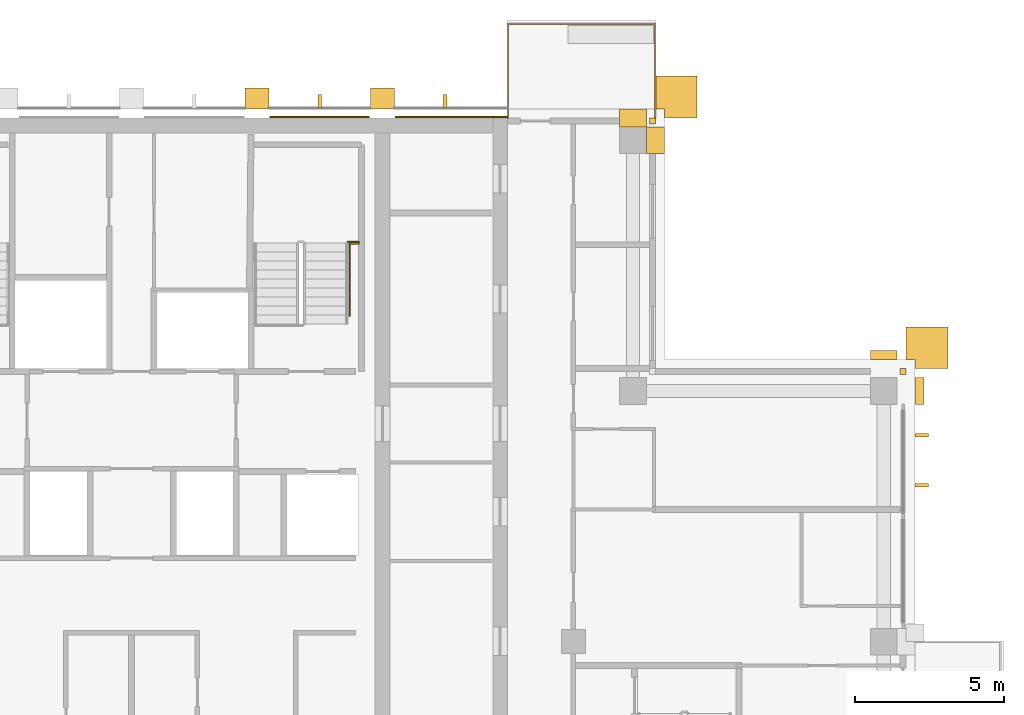
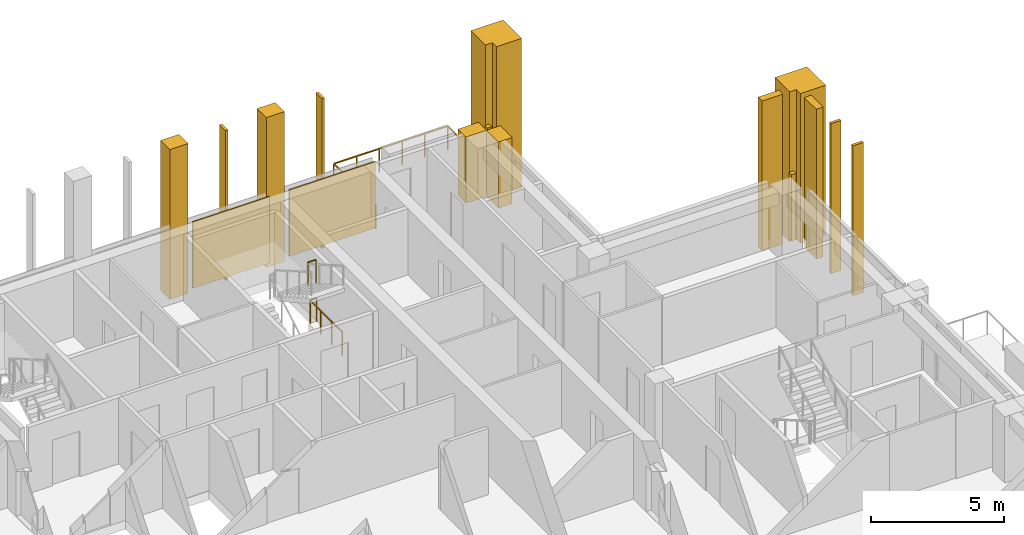
# One storey, part 18 of 18: 16 coverings, 3 railings.
"""IFC4 building model written with IfcOpenShell, lengths in metres."""

from ifc_helpers import new_model, si_unit, direction, frame, origin, origin_2d, place, context, subcontext, project, spatial, polyline, rectangle, outline, extrude, material, layer, layer_set, type_object, element, save


model = new_model("IFC4")

# Units and contexts
model_context = context("Model", 3, precision=1e-05, world=origin(), true_north=direction((0.0, 1.0)))
body_context = subcontext(model_context, "Body", "Model", "MODEL_VIEW")
ifc_project = project(units=[si_unit("LENGTHUNIT", "METRE"), si_unit("AREAUNIT", "SQUARE_METRE"), si_unit("VOLUMEUNIT", "CUBIC_METRE"), si_unit("PLANEANGLEUNIT", "RADIAN"), si_unit("MASSUNIT", "GRAM", prefix="KILO")], contexts=[model_context])

# Site, building, storey
site_placement = place(None, origin())
site = spatial("IfcSite", under=ifc_project, at=site_placement, CompositionType="ELEMENT")
building_placement = place(site_placement, origin())
building = spatial("IfcBuilding", under=site, at=building_placement, Name="Vermilion Ogive Tower", CompositionType="ELEMENT")
storey_placement = place(building_placement, frame((0.0, 0.0, 240.699951171875)))
storey = spatial("IfcBuildingStorey", under=building, at=storey_placement, Name="L63", CompositionType="ELEMENT", Elevation=240.699951171875)

# Railing
ifc_material_1 = material(Name="Stainless steel and glass", Category="steel")
railing_type_1 = type_object("IfcRailingType", Name="Balcony guard", PredefinedType="GUARDRAIL", material=ifc_material_1)
railing_1_placement = place(storey_placement, frame((17.550048828125, 21.75, -0.0400390625)))
element("IfcRailing", 1, at=railing_1_placement, inside=storey, type_object=railing_type_1, Name="Guard N101", PredefinedType="GUARDRAIL", context=body_context, shape_type="SweptSolid", body=[
    extrude(rectangle(XDim=0.048095703125, YDim=0.048095703125, at=origin_2d()), frame((0.0, 0.0, 1.076171875), z_axis=(0.0, 1.0, 0.0), x_axis=(-1.0, 0.0, 0.0)), (0.0, 0.0, 1.0), 3.159912109375),
    extrude(rectangle(XDim=0.048095703125, YDim=0.048095703125, at=origin_2d()), frame((0.0, 3.159912109375, 1.076171875), z_axis=(-1.0, 0.0, 0.0), x_axis=(0.0, -1.0, 0.0)), (0.0, 0.0, 1.0), 4.949951171875),
    extrude(rectangle(XDim=0.048095703125, YDim=0.048095703125, at=origin_2d()), frame((-4.949951171875, 3.159912109375, 1.076171875), z_axis=(0.0, -1.0, 0.0), x_axis=(1.0, 0.0, 0.0)), (0.0, 0.0, 1.0), 3.159912109375),
    extrude(rectangle(XDim=0.0419921875, YDim=0.0419921875, at=origin_2d()), origin(), (0.0, 0.0, 1.0), 1.052001953125),
    extrude(rectangle(XDim=0.0419921875, YDim=0.0419921875, at=origin_2d()), frame((0.0, 1.05322265625, 0.0)), (0.0, 0.0, 1.0), 1.052001953125),
    extrude(rectangle(XDim=0.0419921875, YDim=0.0419921875, at=origin_2d()), frame((0.0, 2.106689453125, 0.0)), (0.0, 0.0, 1.0), 1.052001953125),
    extrude(rectangle(XDim=0.0419921875, YDim=0.0419921875, at=origin_2d()), frame((0.0, 3.159912109375, 0.0)), (0.0, 0.0, 1.0), 1.052001953125),
    extrude(rectangle(XDim=0.0419921875, YDim=0.0419921875, at=origin_2d()), frame((-0.989990234375, 3.159912109375, 0.0)), (0.0, 0.0, 1.0), 1.052001953125),
    extrude(rectangle(XDim=0.0419921875, YDim=0.0419921875, at=origin_2d()), frame((-1.97998046875, 3.159912109375, 0.0)), (0.0, 0.0, 1.0), 1.052001953125),
    extrude(rectangle(XDim=0.0419921875, YDim=0.0419921875, at=origin_2d()), frame((-2.969970703125, 3.159912109375, 0.0)), (0.0, 0.0, 1.0), 1.052001953125),
    extrude(rectangle(XDim=0.0419921875, YDim=0.0419921875, at=origin_2d()), frame((-3.9599609375, 3.159912109375, 0.0)), (0.0, 0.0, 1.0), 1.052001953125),
    extrude(rectangle(XDim=0.0419921875, YDim=0.0419921875, at=origin_2d()), frame((-4.949951171875, 3.159912109375, 0.0)), (0.0, 0.0, 1.0), 1.052001953125),
    extrude(rectangle(XDim=0.0419921875, YDim=0.0419921875, at=origin_2d()), frame((-4.949951171875, 2.106689453125, 0.0)), (0.0, 0.0, 1.0), 1.052001953125),
    extrude(rectangle(XDim=0.0419921875, YDim=0.0419921875, at=origin_2d()), frame((-4.949951171875, 1.05322265625, 0.0)), (0.0, 0.0, 1.0), 1.052001953125),
    extrude(rectangle(XDim=0.0419921875, YDim=0.0419921875, at=origin_2d()), frame((-4.949951171875, 0.0, 0.0)), (0.0, 0.0, 1.0), 1.052001953125),
])

# Coverings
ifc_material_2 = material(Name="Glazed ceramic screen")
ifc_layer = layer(ifc_material_2, 0.14990234375)
ifc_layer_set = layer_set([ifc_layer], Name="Ceramic solar screen fin")
covering_type_1 = type_object("IfcCoveringType", Name="Ceramic solar screen fin", PredefinedType="CLADDING", material=ifc_layer_set)
covering_1_placement = place(storey_placement, frame((0.0, 0.0, -0.39990234375)))
element("IfcCovering", 2, at=covering_1_placement, inside=storey, type_object=covering_type_1, Name="Solar screen blade E021", PredefinedType="CLADDING", context=body_context, shape_type="SweptSolid", body=[
    extrude(outline(polyline([(26.699951171875, 9.37744140625), (26.699951171875, 9.49755859375), (26.25, 9.49755859375), (26.25, 9.37744140625), (26.699951171875, 9.37744140625)])), origin(), (0.0, 0.0, 1.0), 6.89990234375),
])
covering_2_placement = place(storey_placement, frame((0.0, 0.0, -0.39990234375)))
element("IfcCovering", 3, at=covering_2_placement, inside=storey, type_object=covering_type_1, Name="Solar screen blade E022", PredefinedType="CLADDING", context=body_context, shape_type="SweptSolid", body=[
    extrude(outline(polyline([(26.699951171875, 11.052490234375), (26.699951171875, 11.172607421875), (26.25, 11.172607421875), (26.25, 11.052490234375), (26.699951171875, 11.052490234375)])), origin(), (0.0, 0.0, 1.0), 6.89990234375),
])
covering_3_placement = place(storey_placement, frame((0.0, 0.0, -0.39990234375)))
element("IfcCovering", 4, at=covering_3_placement, inside=storey, type_object=covering_type_1, Name="Solar screen blade N5", PredefinedType="CLADDING", context=body_context, shape_type="SweptSolid", body=[
    extrude(outline(polyline([(6.239990234375, 22.08203125), (6.360107421875, 22.08203125), (6.360107421875, 22.531982421875), (6.239990234375, 22.531982421875), (6.239990234375, 22.08203125)])), origin(), (0.0, 0.0, 1.0), 6.89990234375),
])
covering_4_placement = place(storey_placement, frame((0.0, 0.0, -0.39990234375)))
element("IfcCovering", 5, at=covering_4_placement, inside=storey, type_object=covering_type_1, Name="Solar screen blade N6", PredefinedType="CLADDING", context=body_context, shape_type="SweptSolid", body=[
    extrude(outline(polyline([(10.43994140625, 22.08203125), (10.56005859375, 22.08203125), (10.56005859375, 22.531982421875), (10.43994140625, 22.531982421875), (10.43994140625, 22.08203125)])), origin(), (0.0, 0.0, 1.0), 6.89990234375),
])

# Railings
ifc_material_3 = material(Name="Steel S355 painted", Category="steel")
railing_type_2 = type_object("IfcRailingType", Name="Stair guard 1100", PredefinedType="GUARDRAIL", material=ifc_material_3)
railing_2_placement = place(storey_placement, frame((7.25, 17.60009765625, 1.72509765625)))
element("IfcRailing", 6, at=railing_2_placement, inside=storey, type_object=railing_type_2, Name="L63 landing guard", PredefinedType="GUARDRAIL", context=body_context, shape_type="SweptSolid", body=[
    extrude(rectangle(XDim=0.048095703125, YDim=0.048095703125, at=origin_2d()), frame((0.0, 0.0, 1.076171875), z_axis=(1.0, 0.0, 0.0), x_axis=(0.0, 1.0, 0.0)), (0.0, 0.0, 1.0), 0.35009765625),
    extrude(rectangle(XDim=0.0419921875, YDim=0.0419921875, at=origin_2d()), origin(), (0.0, 0.0, 1.0), 1.052001953125),
    extrude(rectangle(XDim=0.0419921875, YDim=0.0419921875, at=origin_2d()), frame((0.35009765625, 0.0, 0.0)), (0.0, 0.0, 1.0), 1.052001953125),
])
railing_3_placement = place(storey_placement, frame((7.599609375, 17.54296875, 0.0)))
element("IfcRailing", 7, at=railing_3_placement, inside=storey, type_object=railing_type_2, Name="L63 stair opening guard", PredefinedType="GUARDRAIL", context=body_context, shape_type="SweptSolid", body=[
    extrude(rectangle(XDim=0.048095703125, YDim=0.048095703125, at=origin_2d()), frame((0.0, 0.0, 1.076171875), z_axis=(-1.0, 0.0, 0.0), x_axis=(0.0, -1.0, 0.0)), (0.0, 0.0, 1.0), 0.2900390625),
    extrude(rectangle(XDim=0.048095703125, YDim=0.048095703125, at=origin_2d()), frame((-0.2900390625, 0.0, 1.076171875), z_axis=(0.0, -1.0, 0.0), x_axis=(1.0, 0.0, 0.0)), (0.0, 0.0, 1.0), 2.42431640625),
    extrude(rectangle(XDim=0.0419921875, YDim=0.0419921875, at=origin_2d()), origin(), (0.0, 0.0, 1.0), 1.052001953125),
    extrude(rectangle(XDim=0.0419921875, YDim=0.0419921875, at=origin_2d()), frame((-0.2900390625, 0.0, 0.0)), (0.0, 0.0, 1.0), 1.052001953125),
    extrude(rectangle(XDim=0.0419921875, YDim=0.0419921875, at=origin_2d()), frame((-0.2900390625, -0.80810546875, 0.0)), (0.0, 0.0, 1.0), 1.052001953125),
    extrude(rectangle(XDim=0.0419921875, YDim=0.0419921875, at=origin_2d()), frame((-0.2900390625, -1.6162109375, 0.0)), (0.0, 0.0, 1.0), 1.052001953125),
    extrude(rectangle(XDim=0.0419921875, YDim=0.0419921875, at=origin_2d()), frame((-0.2900390625, -2.42431640625, 0.0)), (0.0, 0.0, 1.0), 1.052001953125),
])

# Coverings
ifc_material_4 = material(Name="Stone cladding", Category="masonry")
covering_type_2 = type_object("IfcCoveringType", Name="Stone buttress pier", PredefinedType="CLADDING", material=ifc_material_4)
covering_5_placement = place(storey_placement, frame((0.0, 0.0, -0.39990234375)))
element("IfcCovering", 8, at=covering_5_placement, inside=storey, type_object=covering_type_2, Name="Stone buttress pier N4", PredefinedType="CLADDING", context=body_context, shape_type="SweptSolid", body=[
    extrude(outline(polyline([(4.60009765625, 22.75), (4.60009765625, 22.050048828125), (3.800048828125, 22.050048828125), (3.800048828125, 22.75), (4.60009765625, 22.75)])), origin(), (0.0, 0.0, 1.0), 6.89990234375),
])
covering_6_placement = place(storey_placement, frame((0.0, 0.0, -0.39990234375)))
element("IfcCovering", 9, at=covering_6_placement, inside=storey, type_object=covering_type_2, Name="Stone buttress pier N5", PredefinedType="CLADDING", context=body_context, shape_type="SweptSolid", body=[
    extrude(outline(polyline([(8.800048828125, 22.75), (8.800048828125, 22.050048828125), (8.0, 22.050048828125), (8.0, 22.75), (8.800048828125, 22.75)])), origin(), (0.0, 0.0, 1.0), 6.89990234375),
])
ifc_material_5 = material(Name="Stone cladding", Category="masonry")
covering_type_3 = type_object("IfcCoveringType", Name="Stone cladding panel", PredefinedType="CLADDING", material=ifc_material_5)
covering_7_placement = place(storey_placement, origin())
element("IfcCovering", 10, at=covering_7_placement, inside=storey, type_object=covering_type_3, Name="Stone cladding panel N5", PredefinedType="CLADDING", context=body_context, shape_type="SweptSolid", body=[
    extrude(outline(polyline([(4.6298828125, 21.75), (7.969970703125, 21.75), (7.969970703125, 21.81005859375), (4.6298828125, 21.81005859375), (4.6298828125, 21.75)])), origin(), (0.0, 0.0, 1.0), 3.050048828125),
])
covering_8_placement = place(storey_placement, origin())
element("IfcCovering", 11, at=covering_8_placement, inside=storey, type_object=covering_type_3, Name="Stone cladding panel N6", PredefinedType="CLADDING", context=body_context, shape_type="SweptSolid", body=[
    extrude(outline(polyline([(8.830078125, 21.75), (12.590087890625, 21.75), (12.590087890625, 21.81005859375), (8.830078125, 21.81005859375), (8.830078125, 21.75)])), origin(), (0.0, 0.0, 1.0), 3.050048828125),
])
ifc_material_6 = material(Name="Stone cladding", Category="masonry")
covering_type_4 = type_object("IfcCoveringType", Name="Stone corner buttress", PredefinedType="CLADDING", material=ifc_material_6)
covering_9_placement = place(storey_placement, frame((0.0, 0.0, -0.39990234375)))
element("IfcCovering", 12, at=covering_9_placement, inside=storey, type_object=covering_type_4, Name="Stone corner buttress X31", PredefinedType="CLADDING", context=body_context, shape_type="SweptSolid", body=[
    extrude(outline(polyline([(26.25, 13.35009765625), (26.25, 13.64990234375), (25.949951171875, 13.64990234375), (25.949951171875, 14.75), (27.35009765625, 14.75), (27.35009765625, 13.35009765625), (26.25, 13.35009765625)])), origin(), (0.0, 0.0, 1.0), 6.89990234375),
])
covering_10_placement = place(storey_placement, frame((0.0, 0.0, -0.39990234375)))
element("IfcCovering", 13, at=covering_10_placement, inside=storey, type_object=covering_type_4, Name="Stone corner buttress N11", PredefinedType="CLADDING", context=body_context, shape_type="SweptSolid", body=[
    extrude(outline(polyline([(17.85009765625, 22.050048828125), (17.550048828125, 22.050048828125), (17.550048828125, 23.14990234375), (18.949951171875, 23.14990234375), (18.949951171875, 21.75), (17.85009765625, 21.75), (17.85009765625, 22.050048828125)])), origin(), (0.0, 0.0, 1.0), 6.89990234375),
])
ifc_material_7 = material(Name="Stone cladding", Category="masonry")
covering_type_5 = type_object("IfcCoveringType", Name="Stone pier", PredefinedType="CLADDING", material=ifc_material_7)
covering_11_placement = place(storey_placement, origin())
element("IfcCovering", 14, at=covering_11_placement, inside=storey, type_object=covering_type_5, Name="Stone corner pier EE1", PredefinedType="CLADDING", context=body_context, shape_type="SweptSolid", body=[
    extrude(outline(polyline([(25.75, 13.14990234375), (25.75, 13.35009765625), (25.949951171875, 13.35009765625), (25.949951171875, 13.14990234375), (25.75, 13.14990234375)])), origin(), (0.0, 0.0, 1.0), 3.050048828125),
])
covering_12_placement = place(storey_placement, origin())
element("IfcCovering", 15, at=covering_12_placement, inside=storey, type_object=covering_type_5, Name="Stone corner pier X4E1", PredefinedType="CLADDING", context=body_context, shape_type="SweptSolid", body=[
    extrude(outline(polyline([(17.35009765625, 21.550048828125), (17.35009765625, 21.75), (17.550048828125, 21.75), (17.550048828125, 21.550048828125), (17.35009765625, 21.550048828125)])), origin(), (0.0, 0.0, 1.0), 3.050048828125),
])
covering_13_placement = place(storey_placement, frame((0.0, 0.0, -0.39990234375)))
element("IfcCovering", 16, at=covering_13_placement, inside=storey, type_object=covering_type_5, Name="Stone pier P+0252+126E", PredefinedType="CLADDING", context=body_context, shape_type="SweptSolid", body=[
    extrude(outline(polyline([(26.550048828125, 13.050048828125), (26.550048828125, 12.14990234375), (26.25, 12.14990234375), (26.25, 13.050048828125), (26.550048828125, 13.050048828125)])), origin(), (0.0, 0.0, 1.0), 6.89990234375),
])
covering_14_placement = place(storey_placement, frame((0.0, 0.0, -0.39990234375)))
element("IfcCovering", 17, at=covering_14_placement, inside=storey, type_object=covering_type_5, Name="Stone pier P+0252+126X3", PredefinedType="CLADDING", context=body_context, shape_type="SweptSolid", body=[
    extrude(outline(polyline([(25.64990234375, 13.949951171875), (25.64990234375, 13.64990234375), (24.75, 13.64990234375), (24.75, 13.949951171875), (25.64990234375, 13.949951171875)])), origin(), (0.0, 0.0, 1.0), 6.89990234375),
])
covering_15_placement = place(storey_placement, origin())
element("IfcCovering", 18, at=covering_15_placement, inside=storey, type_object=covering_type_5, Name="Stone pier P+0168+210X4", PredefinedType="CLADDING", context=body_context, shape_type="SweptSolid", body=[
    extrude(outline(polyline([(17.85009765625, 21.449951171875), (17.85009765625, 20.550048828125), (17.25, 20.550048828125), (17.25, 21.449951171875), (17.85009765625, 21.449951171875)])), origin(), (0.0, 0.0, 1.0), 3.050048828125),
])
covering_16_placement = place(storey_placement, origin())
element("IfcCovering", 19, at=covering_16_placement, inside=storey, type_object=covering_type_5, Name="Stone pier P+0168+210N1", PredefinedType="CLADDING", context=body_context, shape_type="SweptSolid", body=[
    extrude(outline(polyline([(17.25, 22.050048828125), (17.25, 21.449951171875), (16.35009765625, 21.449951171875), (16.35009765625, 22.050048828125), (17.25, 22.050048828125)])), origin(), (0.0, 0.0, 1.0), 3.050048828125),
])

save(model, "model.ifc")
